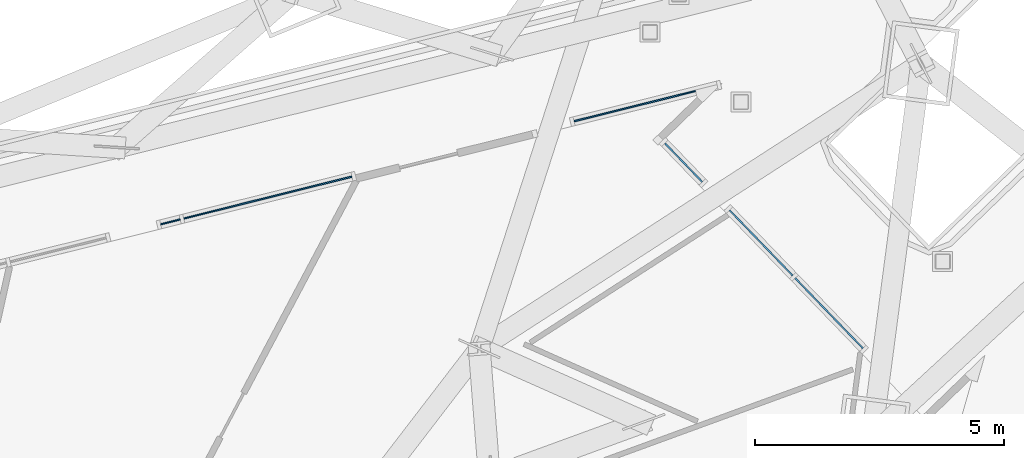
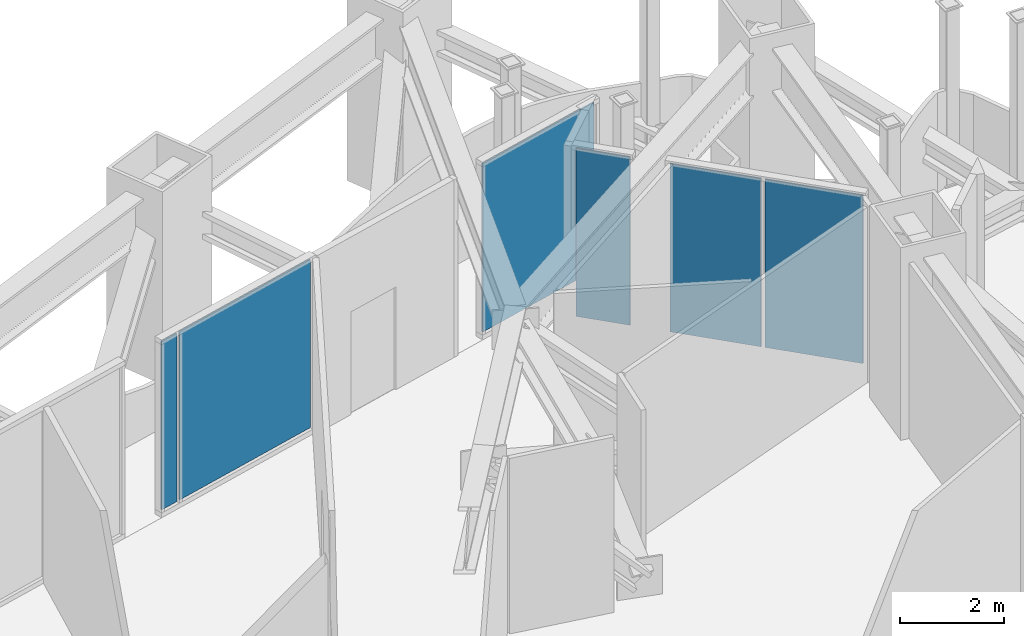
# One storey, part 11 of 26: 6 plates, 4 elements without a shape of their own.
"""IFC4 building model written with IfcOpenShell, lengths in metres."""

from ifc_helpers import new_model, si_unit, direction, frame, origin, origin_2d, place, context, subcontext, project, spatial, rectangle, extrude, material, layer, layer_set, type_object, element, aggregate, save


model = new_model("IFC4")

# Units and contexts
model_context = context("Model", 3, precision=1e-05, world=origin(), true_north=direction((0.0, 1.0)))
body_context = subcontext(model_context, "Body", "Model", "MODEL_VIEW")
ifc_project = project(units=[si_unit("LENGTHUNIT", "METRE"), si_unit("AREAUNIT", "SQUARE_METRE"), si_unit("VOLUMEUNIT", "CUBIC_METRE"), si_unit("PLANEANGLEUNIT", "RADIAN"), si_unit("MASSUNIT", "GRAM", prefix="KILO")], contexts=[model_context])

# Site, building, storey
site_placement = place(None, origin())
site = spatial("IfcSite", under=ifc_project, at=site_placement, CompositionType="ELEMENT")
building_placement = place(site_placement, origin())
building = spatial("IfcBuilding", under=site, at=building_placement, Name="Trine Commons Tower", CompositionType="ELEMENT")
storey_placement = place(building_placement, frame((0.0, 0.0, 119.699951171875)))
storey = spatial("IfcBuildingStorey", under=building, at=storey_placement, Name="L30", CompositionType="ELEMENT", Elevation=119.699951171875)

# Curtain wall, plates
ifc_material_1 = material(Name="Sky lounge glazing: anodised aluminium frame with low-emissivity double glazed unit, solar control", Category="aluminium")
ifc_layer_1 = layer(ifc_material_1, 0.179931640625)
ifc_layer_set_1 = layer_set([ifc_layer_1], Name="Sky lounge glazing: anodised aluminium frame with low-emissivity double glazed unit, solar control")
curtain_wall_type = type_object("IfcCurtainWallType", Name="Sky lounge glazing curtain wall CW5", PredefinedType="NOTDEFINED", material=ifc_layer_set_1)
curtain_wall_1_placement = place(storey_placement, origin())
curtain_wall_1 = element("IfcCurtainWall", 1, at=curtain_wall_1_placement, inside=storey, type_object=curtain_wall_type, Name="Sky lounge glazing L30 F1.2", PredefinedType="NOTDEFINED")
ifc_material_2 = material(Name="Low-emissivity double glazed unit, solar control")
ifc_layer_2 = layer(ifc_material_2, 0.031982421875)
ifc_layer_set_2 = layer_set([ifc_layer_2], Name="Low-emissivity double glazed unit, solar control")
plate_type = type_object("IfcPlateType", Name="Double glazed unit 32 mm (sky floors)", PredefinedType="CURTAIN_PANEL", material=ifc_layer_set_2)
plate_1_placement = place(storey_placement, frame((87.5859375, 83.003173828125, 0.10986328125), z_axis=(0.0, 0.0, 1.0), x_axis=(0.970295726276, 0.2419218956, 0.0)))
plate_1 = element("IfcPlate", 2, at=plate_1_placement, type_object=plate_type, Name="CW5 panel 1.1", PredefinedType="CURTAIN_PANEL", context=body_context, shape_type="SweptSolid", body=[
    extrude(rectangle(XDim=0.4013671875, YDim=0.031982421875, at=origin_2d()), origin(), (0.0, 0.0, 1.0), 3.929931640625),
])
plate_2_placement = place(storey_placement, frame((89.53955078125, 83.490234375, 0.10986328125), z_axis=(0.0, 0.0, 1.0), x_axis=(0.970295726276, 0.2419218956, 0.0)))
plate_2 = element("IfcPlate", 3, at=plate_2_placement, type_object=plate_type, Name="CW5 panel 2.1", PredefinedType="CURTAIN_PANEL", context=body_context, shape_type="SweptSolid", body=[
    extrude(rectangle(XDim=3.4755859375, YDim=0.031982421875, at=origin_2d()), origin(), (0.0, 0.0, 1.0), 3.929931640625),
])
aggregate(curtain_wall_1, [plate_1, plate_2])

# Curtain wall, plate
curtain_wall_2_placement = place(storey_placement, origin())
curtain_wall_2 = element("IfcCurtainWall", 4, at=curtain_wall_2_placement, inside=storey, type_object=curtain_wall_type, Name="Sky lounge glazing L30 F1.3", PredefinedType="NOTDEFINED")
plate_3_placement = place(storey_placement, frame((97.115478515625, 85.379150390625, 0.10986328125), z_axis=(0.0, 0.0, 1.0), x_axis=(0.970295726276, 0.2419218956, 0.0)))
plate_3 = element("IfcPlate", 5, at=plate_3_placement, type_object=plate_type, Name="CW5 panel 1.1", PredefinedType="CURTAIN_PANEL", context=body_context, shape_type="SweptSolid", body=[
    extrude(rectangle(XDim=2.958740234375, YDim=0.031982421875, at=origin_2d()), origin(), (0.0, 0.0, 1.0), 3.929931640625),
])
aggregate(curtain_wall_2, [plate_3])

curtain_wall_3_placement = place(storey_placement, origin())
curtain_wall_3 = element("IfcCurtainWall", 6, at=curtain_wall_3_placement, inside=storey, type_object=curtain_wall_type, Name="Sky lounge glazing L30 P2.1", PredefinedType="NOTDEFINED")
plate_4_placement = place(storey_placement, frame((97.8759765625, 84.192626953125, 0.10986328125), z_axis=(0.0, 0.0, 1.0), x_axis=(0.694658370459, -0.719339800339, 0.0)))
plate_4 = element("IfcPlate", 7, at=plate_4_placement, type_object=plate_type, Name="CW5 panel 1.1", PredefinedType="CURTAIN_PANEL", context=body_context, shape_type="SweptSolid", body=[
    extrude(rectangle(XDim=1.07666015625, YDim=0.031982421875, at=origin_2d()), origin(), (0.0, 0.0, 1.0), 3.929931640625),
])
aggregate(curtain_wall_3, [plate_4])

# Curtain wall, plates
curtain_wall_4_placement = place(storey_placement, origin())
curtain_wall_4 = element("IfcCurtainWall", 8, at=curtain_wall_4_placement, inside=storey, type_object=curtain_wall_type, Name="Sky lounge glazing L30 P2.2", PredefinedType="NOTDEFINED")
plate_5_placement = place(storey_placement, frame((99.431396484375, 82.581787109375, 0.10986328125), z_axis=(0.0, 0.0, 1.0), x_axis=(0.694658370459, -0.719339800339, 0.0)))
plate_5 = element("IfcPlate", 9, at=plate_5_placement, type_object=plate_type, Name="CW5 panel 1.1", PredefinedType="CURTAIN_PANEL", context=body_context, shape_type="SweptSolid", body=[
    extrude(rectangle(XDim=1.819580078125, YDim=0.031982421875, at=origin_2d()), origin(), (0.0, 0.0, 1.0), 3.929931640625),
])
plate_6_placement = place(storey_placement, frame((100.793701171875, 81.171142578125, 0.10986328125), z_axis=(0.0, 0.0, 1.0), x_axis=(0.694658370459, -0.719339800339, 0.0)))
plate_6 = element("IfcPlate", 10, at=plate_6_placement, type_object=plate_type, Name="CW5 panel 2.1", PredefinedType="CURTAIN_PANEL", context=body_context, shape_type="SweptSolid", body=[
    extrude(rectangle(XDim=1.952392578125, YDim=0.031982421875, at=origin_2d()), origin(), (0.0, 0.0, 1.0), 3.929931640625),
])
aggregate(curtain_wall_4, [plate_5, plate_6])

save(model, "model.ifc")
